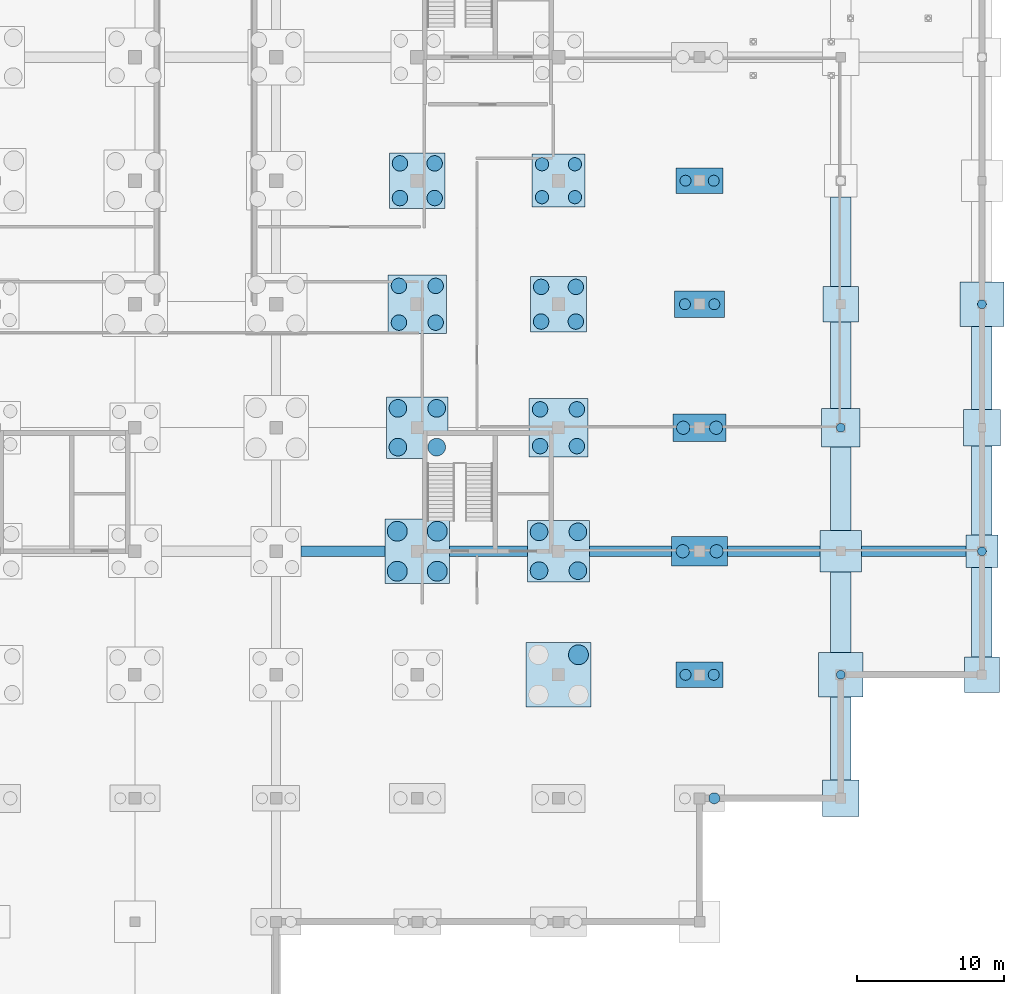
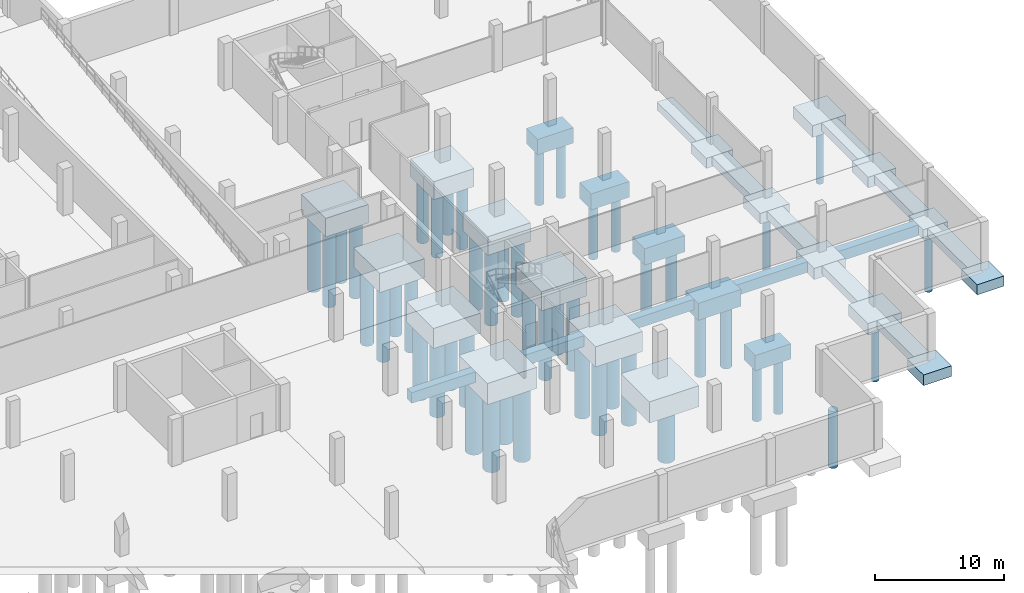
# One storey, part 9 of 26: 48 piles, 36 footings.
"""IFC4 building model written with IfcOpenShell, lengths in metres."""

import ifcopenshell
import ifcopenshell.guid

model = None  # the IFC model being written
_history = None  # IfcOwnerHistory: only IFC2X3 demands one
_inside = {}  # id of a spatial element -> (the spatial element, [elements in it])
_under = {}  # id of a project, library or spatial element -> (it, [spatial elements below it])
_declared = {}  # id of a project -> (the project, [libraries it declares])
_typed = {}  # id of a type object -> (the type object, [elements of that type])
_made_of = {}  # id of a material, layer set ... -> (it, [elements and type objects made of it])


def new_model(schema):
    """Start an empty IFC model of exactly this schema.

    Asked for "IFC4X3", IfcOpenShell would pick the latest addendum, in which some entities
    have other attributes; the version numbers below select the first issue.
    IFC2X3 requires an IfcOwnerHistory on every rooted entity: one is made here for all.
    """
    global model, _history
    if schema == "IFC4X3":
        model = ifcopenshell.file(schema_version=(4, 3, 0, 0))
    else:
        model = ifcopenshell.file(schema=schema)
    _inside.clear()
    _under.clear()
    _declared.clear()
    _typed.clear()
    _made_of.clear()
    _history = None
    if model.schema == "IFC2X3":
        org = make("IfcOrganization", Name="unknown")
        user = make(
            "IfcPersonAndOrganization",
            ThePerson=make("IfcPerson", FamilyName="unknown"),
            TheOrganization=org,
        )
        app = make(
            "IfcApplication",
            ApplicationDeveloper=org,
            Version="unknown",
            ApplicationFullName="unknown",
            ApplicationIdentifier="unknown",
        )
        _history = make(
            "IfcOwnerHistory",
            OwningUser=user,
            OwningApplication=app,
            ChangeAction="ADDED",
            CreationDate=0,
        )
    return model


def make(cls, **values):
    """One entity of the class cls with the attributes given. An attribute that is None is left unset."""
    return model.create_entity(
        cls, **{name: value for name, value in values.items() if value is not None}
    )


def rooted(cls, **values):
    """An entity with a GlobalId (a new one), such as an element, a storey or a relation."""
    return make(cls, GlobalId=ifcopenshell.guid.new(), OwnerHistory=_history, **values)


def si_unit(unit_type, name, prefix=None):
    """IfcSIUnit, for example si_unit("LENGTHUNIT", "METRE", prefix="MILLI")."""
    return make("IfcSIUnit", UnitType=unit_type, Prefix=prefix, Name=name)


def assignment(units):
    """IfcUnitAssignment: the units of a project."""
    return None if units is None else make("IfcUnitAssignment", Units=units)


def point(xyz):
    """IfcCartesianPoint."""
    return None if xyz is None else make("IfcCartesianPoint", Coordinates=xyz)


def direction(xyz):
    """IfcDirection."""
    return None if xyz is None else make("IfcDirection", DirectionRatios=xyz)


def frame(location, z_axis=None, x_axis=None):
    """IfcAxis2Placement3D, a coordinate frame: its origin and axes. An axis left out is left unset."""
    return make(
        "IfcAxis2Placement3D",
        Location=point(location),
        Axis=direction(z_axis),
        RefDirection=direction(x_axis),
    )


def frame_2d(location, x_axis=None):
    """IfcAxis2Placement2D, a coordinate frame in the plane: its origin and x axis."""
    return make(
        "IfcAxis2Placement2D", Location=point(location), RefDirection=direction(x_axis)
    )


def origin():
    """The frame at (0, 0, 0) with its axes left unset."""
    return frame((0.0, 0.0, 0.0))


def origin_2d():
    """The frame at (0, 0) in the plane with its x axis left unset."""
    return frame_2d((0.0, 0.0))


def place(relative_to, where):
    """IfcLocalPlacement: puts the frame where relative to a parent placement (None: the world)."""
    return make(
        "IfcLocalPlacement", PlacementRelTo=relative_to, RelativePlacement=where
    )


def context(
    kind, dimensions, precision=None, world=None, true_north=None, identifier=None
):
    """IfcGeometricRepresentationContext, for example the 3D "Model" context."""
    return make(
        "IfcGeometricRepresentationContext",
        ContextIdentifier=identifier,
        ContextType=kind,
        CoordinateSpaceDimension=dimensions,
        Precision=precision,
        WorldCoordinateSystem=world,
        TrueNorth=true_north,
    )


def subcontext(parent, identifier, kind, view, scale=None):
    """IfcGeometricRepresentationSubContext, for example "Body" below "Model"."""
    return make(
        "IfcGeometricRepresentationSubContext",
        ContextIdentifier=identifier,
        ContextType=kind,
        ParentContext=parent,
        TargetScale=scale,
        TargetView=view,
    )


def project(units=None, contexts=None):
    """IfcProject with its units and contexts."""
    return rooted(
        "IfcProject",
        Name="project",
        RepresentationContexts=contexts,
        UnitsInContext=assignment(units),
    )


def spatial(cls, under=None, at=None, **own):
    """A site, building, storey or space (cls), placed at a placement, below another one or the project."""
    s = rooted(cls, ObjectPlacement=at, **own)
    if under is not None:
        _under.setdefault(under.id(), (under, []))[1].append(s)
    return s


def profile(cls, at=None, kind="AREA", **sizes):
    """A parametric profile (cls). Its sizes go by their IFC names, for example OverallWidth=200.0."""
    return make(cls, ProfileType=kind, Position=at, **sizes)


def rectangle(**sizes):
    """IfcRectangleProfileDef."""
    return profile("IfcRectangleProfileDef", **sizes)


def circle(**sizes):
    """IfcCircleProfileDef."""
    return profile("IfcCircleProfileDef", **sizes)


def extrude(swept, where, along, depth):
    """IfcExtrudedAreaSolid: the profile swept, set in the frame where, extruded along a direction by depth."""
    return make(
        "IfcExtrudedAreaSolid",
        SweptArea=swept,
        Position=where,
        ExtrudedDirection=direction(along),
        Depth=depth,
    )


def shape(context_of_items, identifier, shape_type, items):
    """IfcShapeRepresentation: the items that make up one representation, for example the "Body"."""
    return make(
        "IfcShapeRepresentation",
        ContextOfItems=context_of_items,
        RepresentationIdentifier=identifier,
        RepresentationType=shape_type,
        Items=items,
    )


def material(Name=None, Category=None):
    """IfcMaterial."""
    return make("IfcMaterial", Name=Name, Category=Category)


def layer(
    of_material, thickness, ventilated=None, Name=None, Category=None, Priority=None
):
    """IfcMaterialLayer: one layer of a wall or slab, of a material (None: an air gap)."""
    return make(
        "IfcMaterialLayer",
        Material=of_material,
        LayerThickness=thickness,
        IsVentilated=ventilated,
        Name=Name,
        Category=Category,
        Priority=Priority,
    )


def layer_set(layers, Name=None):
    """IfcMaterialLayerSet."""
    return make("IfcMaterialLayerSet", MaterialLayers=layers, LayerSetName=Name)


def material_profile(
    of_material, cross_section, Name=None, Category=None, Priority=None
):
    """IfcMaterialProfile: a cross section and its material."""
    return make(
        "IfcMaterialProfile",
        Name=Name,
        Material=of_material,
        Profile=cross_section,
        Priority=Priority,
        Category=Category,
    )


def profile_set(profiles, Name=None, composite=None):
    """IfcMaterialProfileSet."""
    return make(
        "IfcMaterialProfileSet",
        Name=Name,
        MaterialProfiles=profiles,
        CompositeProfile=composite,
    )


def made_of(thing, what):
    """Note that an element or type object is made of a material, layer set ...; save() writes the relation."""
    if what is not None:
        _made_of.setdefault(what.id(), (what, []))[1].append(thing)
    return thing


def type_object(cls, material=None, **own):
    """A type object (cls), such as IfcWallType, which elements share."""
    return made_of(rooted(cls, **own), material)


def element(
    cls,
    number,
    at=None,
    inside=None,
    cuts=None,
    type_object=None,
    material=None,
    context=None,
    identifier="Body",
    shape_type=None,
    held_by="IfcProductDefinitionShape",
    body=None,
    shapes=None,
    **own,
):
    """One element of the class cls, such as IfcWall. Its Tag is "e" and its number.

    at: its placement. inside: the storey or other place that contains it. cuts: it is an
    opening in that element (IfcRelVoidsElement). A single representation is given by context,
    identifier, shape_type and body (its items); several are given by shapes. held_by: the class
    of the entity that holds the representations. save() writes the other relations.
    """
    e = rooted(cls, Tag="e%d" % number, ObjectPlacement=at, **own)
    if body is not None:
        shapes = [shape(context, identifier, shape_type, body)]
    if shapes is not None:
        e.Representation = make(held_by, Representations=shapes)
    if inside is not None:
        _inside.setdefault(inside.id(), (inside, []))[1].append(e)
    if cuts is not None:
        rooted(
            "IfcRelVoidsElement", RelatingBuildingElement=cuts, RelatedOpeningElement=e
        )
    if type_object is not None:
        _typed.setdefault(type_object.id(), (type_object, []))[1].append(e)
    return made_of(e, material)


def aggregate(whole, parts):
    """IfcRelAggregates: a whole, such as a stair, and the parts it consists of."""
    return rooted("IfcRelAggregates", RelatingObject=whole, RelatedObjects=parts)


def save(model, path):
    """Write the relations noted so far, then the file.

    IfcRelAggregates (storeys below a building ...), IfcRelContainedInSpatialStructure (elements
    in a storey), IfcRelDefinesByType, IfcRelAssociatesMaterial and IfcRelDeclares: one each for
    every whole, place, type object, material and project.
    """
    for whole, parts in _under.values():
        aggregate(whole, parts)
    for where, things in _inside.values():
        rooted(
            "IfcRelContainedInSpatialStructure",
            RelatedElements=things,
            RelatingStructure=where,
        )
    for kind, things in _typed.values():
        rooted("IfcRelDefinesByType", RelatedObjects=things, RelatingType=kind)
    for what, things in _made_of.values():
        rooted("IfcRelAssociatesMaterial", RelatedObjects=things, RelatingMaterial=what)
    for by, libraries in _declared.values():
        rooted("IfcRelDeclares", RelatingContext=by, RelatedDefinitions=libraries)
    model.write(path)


model = new_model("IFC4")

# Units and contexts
model_context = context("Model", 3, precision=1e-05, world=origin(), true_north=direction((0.0, 1.0)))
body_context = subcontext(model_context, "Body", "Model", "MODEL_VIEW")
ifc_project = project(units=[si_unit("LENGTHUNIT", "METRE"), si_unit("AREAUNIT", "SQUARE_METRE"), si_unit("VOLUMEUNIT", "CUBIC_METRE"), si_unit("PLANEANGLEUNIT", "RADIAN"), si_unit("MASSUNIT", "GRAM", prefix="KILO")], contexts=[model_context])

# Site, building, storey
site_placement = place(None, origin())
site = spatial("IfcSite", under=ifc_project, at=site_placement, CompositionType="ELEMENT")
building_placement = place(site_placement, origin())
building = spatial("IfcBuilding", under=site, at=building_placement, Name="Lornevale Opera House", CompositionType="ELEMENT")
storey_placement = place(building_placement, frame((0.0, 0.0, -9.60009765625)))
storey = spatial("IfcBuildingStorey", under=building, at=storey_placement, Name="B2", CompositionType="ELEMENT", Elevation=-9.60009765625)

# Footings
ifc_material_1 = material(Name="Concrete 35 MPa (CSA A23.1 N)", Category="concrete")
ifc_layer_1 = layer(ifc_material_1, 1.0)
ifc_layer_set_1 = layer_set([ifc_layer_1], Name="Concrete 35 MPa (CSA A23.1 N)")
footing_type_1 = type_object("IfcFootingType", Name="Canopy Mast Pad 2500x2500x1000", PredefinedType="PAD_FOOTING", material=ifc_layer_set_1)
for number, where, z_axis, x_axis, name in (
    (1, (163.199951171875, 16.800048828125, -1.4599609375), (0.0, 0.0, 1.0), (1.0, 0.0, 0.0), "Canopy Mast Pad 2500x2500x1000 FT-233"),
    (2, (172.800048828125, 42.0, -1.4599609375), (0.0, 0.0, 1.0), (1.0, 0.0, 0.0), "Canopy Mast Pad 2500x2500x1000 FT-244"),
):
    element("IfcFooting", number, at=place(storey_placement, frame(where, z_axis=z_axis, x_axis=x_axis)), inside=storey, type_object=footing_type_1, Name=name, PredefinedType="PAD_FOOTING", context=body_context, shape_type="SweptSolid", body=[
        extrude(rectangle(XDim=2.5, YDim=2.5, at=origin_2d()), origin(), (0.0, 0.0, 1.0), 1.0),
    ])
ifc_layer_2 = layer(ifc_material_1, 1.699951171875)
ifc_layer_set_2 = layer_set([ifc_layer_2], Name="Concrete 35 MPa (CSA A23.1 N)")
footing_type_2 = type_object("IfcFootingType", Name="Four-Caisson Cap 3600x3600x1700", PredefinedType="PILE_CAP", material=ifc_layer_set_2)
footing_1_placement = place(storey_placement, frame((144.0, 58.800048828125, -2.15966796875), z_axis=(0.0, 0.0, 1.0), x_axis=(1.0, 0.0, 0.0)))
element("IfcFooting", 3, at=footing_1_placement, inside=storey, type_object=footing_type_2, Name="Four-Caisson Cap 3600x3600x1700 FT-219", PredefinedType="PILE_CAP", context=body_context, shape_type="SweptSolid", body=[
    extrude(rectangle(XDim=3.60009765625, YDim=3.60009765625, at=origin_2d()), origin(), (0.0, 0.0, 1.0), 1.699951171875),
])
ifc_layer_3 = layer(ifc_material_1, 1.75)
ifc_layer_set_3 = layer_set([ifc_layer_3], Name="Concrete 35 MPa (CSA A23.1 N)")
footing_type_3 = type_object("IfcFootingType", Name="Four-Caisson Cap 3800x3800x1750", PredefinedType="PILE_CAP", material=ifc_layer_set_3)
for number, where, z_axis, x_axis, name in (
    (4, (134.39990234375, 58.800048828125, -2.2099609375), (0.0, 0.0, 1.0), (1.0, 0.0, 0.0), "Four-Caisson Cap 3800x3800x1750 FT-209"),
    (5, (144.0, 50.39990234375, -2.2099609375), (0.0, 0.0, 1.0), (1.0, 0.0, 0.0), "Four-Caisson Cap 3800x3800x1750 FT-218"),
):
    element("IfcFooting", number, at=place(storey_placement, frame(where, z_axis=z_axis, x_axis=x_axis)), inside=storey, type_object=footing_type_3, Name=name, PredefinedType="PILE_CAP", context=body_context, shape_type="SweptSolid", body=[
        extrude(rectangle(XDim=3.800048828125, YDim=3.800048828125, at=origin_2d()), origin(), (0.0, 0.0, 1.0), 1.75),
    ])
ifc_layer_4 = layer(ifc_material_1, 1.800048828125)
ifc_layer_set_4 = layer_set([ifc_layer_4], Name="Concrete 35 MPa (CSA A23.1 N)")
footing_type_4 = type_object("IfcFootingType", Name="Four-Caisson Cap 4000x4000x1800", PredefinedType="PILE_CAP", material=ifc_layer_set_4)
for number, where, z_axis, x_axis, name in (
    (6, (134.39990234375, 50.39990234375, -2.259765625), (0.0, 0.0, 1.0), (1.0, 0.0, 0.0), "Four-Caisson Cap 4000x4000x1800 FT-208"),
    (7, (144.0, 42.0, -2.259765625), (0.0, 0.0, 1.0), (1.0, 0.0, 0.0), "Four-Caisson Cap 4000x4000x1800 FT-217"),
):
    element("IfcFooting", number, at=place(storey_placement, frame(where, z_axis=z_axis, x_axis=x_axis)), inside=storey, type_object=footing_type_4, Name=name, PredefinedType="PILE_CAP", context=body_context, shape_type="SweptSolid", body=[
        extrude(rectangle(XDim=4.0, YDim=4.0, at=origin_2d()), origin(), (0.0, 0.0, 1.0), 1.800048828125),
    ])
ifc_layer_5 = layer(ifc_material_1, 1.89990234375)
ifc_layer_set_5 = layer_set([ifc_layer_5], Name="Concrete 35 MPa (CSA A23.1 N)")
footing_type_5 = type_object("IfcFootingType", Name="Four-Caisson Cap 4200x4200x1900", PredefinedType="PILE_CAP", material=ifc_layer_set_5)
for number, where, z_axis, x_axis, name in (
    (8, (134.39990234375, 42.0, -2.35986328125), (0.0, 0.0, 1.0), (1.0, 0.0, 0.0), "Four-Caisson Cap 4200x4200x1900 FT-207"),
    (9, (144.0, 33.60009765625, -2.35986328125), (0.0, 0.0, 1.0), (1.0, 0.0, 0.0), "Four-Caisson Cap 4200x4200x1900 FT-216"),
):
    element("IfcFooting", number, at=place(storey_placement, frame(where, z_axis=z_axis, x_axis=x_axis)), inside=storey, type_object=footing_type_5, Name=name, PredefinedType="PILE_CAP", context=body_context, shape_type="SweptSolid", body=[
        extrude(rectangle(XDim=4.199951171875, YDim=4.199951171875, at=origin_2d()), origin(), (0.0, 0.0, 1.0), 1.89990234375),
    ])
ifc_layer_6 = layer(ifc_material_1, 2.0)
ifc_layer_set_6 = layer_set([ifc_layer_6], Name="Concrete 35 MPa (CSA A23.1 N)")
footing_type_6 = type_object("IfcFootingType", Name="Four-Caisson Cap 4400x4400x2000", PredefinedType="PILE_CAP", material=ifc_layer_set_6)
for number, where, z_axis, x_axis, name in (
    (10, (134.39990234375, 33.60009765625, -2.4599609375), (0.0, 0.0, 1.0), (1.0, 0.0, 0.0), "Four-Caisson Cap 4400x4400x2000 FT-206"),
    (11, (144.0, 25.199951171875, -2.4599609375), (0.0, 0.0, 1.0), (1.0, 0.0, 0.0), "Four-Caisson Cap 4400x4400x2000 FT-215"),
):
    element("IfcFooting", number, at=place(storey_placement, frame(where, z_axis=z_axis, x_axis=x_axis)), inside=storey, type_object=footing_type_6, Name=name, PredefinedType="PILE_CAP", context=body_context, shape_type="SweptSolid", body=[
        extrude(rectangle(XDim=4.39990234375, YDim=4.39990234375, at=origin_2d()), origin(), (0.0, 0.0, 1.0), 2.0),
    ])
ifc_layer_7 = layer(ifc_material_1, 1.0)
ifc_layer_set_7 = layer_set([ifc_layer_7], Name="Concrete 35 MPa (CSA A23.1 N)")
footing_type_7 = type_object("IfcFootingType", Name="Grade Tie Beam EW 700x1000", PredefinedType="FOOTING_BEAM", material=ifc_layer_set_7)
footing_2_placement = place(storey_placement, frame((129.35009765625, 33.60009765625, -1.4599609375), z_axis=(0.0, 0.0, 1.0), x_axis=(1.0, 0.0, 0.0)))
element("IfcFooting", 12, at=footing_2_placement, inside=storey, type_object=footing_type_7, Name="Grade Tie Beam EW 700x1000 FT-310", PredefinedType="FOOTING_BEAM", context=body_context, shape_type="SweptSolid", body=[
    extrude(rectangle(XDim=5.699951171875, YDim=0.699951171875, at=origin_2d()), origin(), (0.0, 0.0, 1.0), 1.0),
])
footing_3_placement = place(storey_placement, frame((139.25, 33.60009765625, -1.4599609375), z_axis=(0.0, 0.0, 1.0), x_axis=(1.0, 0.0, 0.0)))
element("IfcFooting", 13, at=footing_3_placement, inside=storey, type_object=footing_type_7, Name="Grade Tie Beam EW 700x1000 FT-313", PredefinedType="FOOTING_BEAM", context=body_context, shape_type="SweptSolid", body=[
    extrude(rectangle(XDim=5.300048828125, YDim=0.699951171875, at=origin_2d()), origin(), (0.0, 0.0, 1.0), 1.0),
])
footing_4_placement = place(storey_placement, frame((148.89990234375, 33.60009765625, -1.4599609375), z_axis=(0.0, 0.0, 1.0), x_axis=(1.0, 0.0, 0.0)))
element("IfcFooting", 14, at=footing_4_placement, inside=storey, type_object=footing_type_7, Name="Grade Tie Beam EW 700x1000 FT-316", PredefinedType="FOOTING_BEAM", context=body_context, shape_type="SweptSolid", body=[
    extrude(rectangle(XDim=5.60009765625, YDim=0.699951171875, at=origin_2d()), origin(), (0.0, 0.0, 1.0), 1.0),
])
footing_5_placement = place(storey_placement, frame((158.64990234375, 33.60009765625, -1.4599609375), z_axis=(0.0, 0.0, 1.0), x_axis=(1.0, 0.0, 0.0)))
element("IfcFooting", 15, at=footing_5_placement, inside=storey, type_object=footing_type_7, Name="Grade Tie Beam EW 700x1000 FT-319", PredefinedType="FOOTING_BEAM", context=body_context, shape_type="SweptSolid", body=[
    extrude(rectangle(XDim=6.300048828125, YDim=0.699951171875, at=origin_2d()), origin(), (0.0, 0.0, 1.0), 1.0),
])
footing_6_placement = place(storey_placement, frame((168.14990234375, 33.60009765625, -1.4599609375), z_axis=(0.0, 0.0, 1.0), x_axis=(1.0, 0.0, 0.0)))
element("IfcFooting", 16, at=footing_6_placement, inside=storey, type_object=footing_type_7, Name="Grade Tie Beam EW 700x1000 FT-322", PredefinedType="FOOTING_BEAM", context=body_context, shape_type="SweptSolid", body=[
    extrude(rectangle(XDim=7.10009765625, YDim=0.699951171875, at=origin_2d()), origin(), (0.0, 0.0, 1.0), 1.0),
])

# Piles
ifc_material_2 = material(Name="Concrete 40 MPa (CSA A23.1 C-1)", Category="concrete")
ifc_material_profile_1 = material_profile(ifc_material_2, circle(Radius=0.300048828125, at=origin_2d()), Name="CAIS600")
ifc_profile_set_1 = profile_set([ifc_material_profile_1], Name="Concrete 40 MPa (CSA A23.1 C-1)")
pile_type_1 = type_object("IfcPileType", Name="Micropile Caisson D600", PredefinedType="BORED", material=ifc_profile_set_1)
pile_1_placement = place(storey_placement, frame((163.199951171875, 25.199951171875, -1.43994140625), z_axis=(0.0, 0.0, -1.0), x_axis=(1.0, 0.0, 0.0)))
element("IfcPile", 17, at=pile_1_placement, inside=storey, type_object=pile_type_1, Name="Micropile Caisson D600 0530", PredefinedType="BORED", context=body_context, shape_type="SweptSolid", body=[
    extrude(circle(Radius=0.300048828125, at=origin_2d()), origin(), (0.0, 0.0, 1.0), 5.760009765625),
])
pile_2_placement = place(storey_placement, frame((163.199951171875, 42.0, -1.33984375), z_axis=(0.0, 0.0, -1.0), x_axis=(1.0, 0.0, 0.0)))
element("IfcPile", 18, at=pile_2_placement, inside=storey, type_object=pile_type_1, Name="Micropile Caisson D600 0531", PredefinedType="BORED", context=body_context, shape_type="SweptSolid", body=[
    extrude(circle(Radius=0.300048828125, at=origin_2d()), origin(), (0.0, 0.0, 1.0), 5.860107421875),
])
pile_3_placement = place(storey_placement, frame((172.800048828125, 33.60009765625, -1.239990234375), z_axis=(0.0, 0.0, -1.0), x_axis=(1.0, 0.0, 0.0)))
element("IfcPile", 19, at=pile_3_placement, inside=storey, type_object=pile_type_1, Name="Micropile Caisson D600 0534", PredefinedType="BORED", context=body_context, shape_type="SweptSolid", body=[
    extrude(circle(Radius=0.300048828125, at=origin_2d()), origin(), (0.0, 0.0, 1.0), 5.9599609375),
])
pile_4_placement = place(storey_placement, frame((172.800048828125, 50.39990234375, -1.43994140625), z_axis=(0.0, 0.0, -1.0), x_axis=(1.0, 0.0, 0.0)))
element("IfcPile", 20, at=pile_4_placement, inside=storey, type_object=pile_type_1, Name="Micropile Caisson D600 0535", PredefinedType="BORED", context=body_context, shape_type="SweptSolid", body=[
    extrude(circle(Radius=0.300048828125, at=origin_2d()), origin(), (0.0, 0.0, 1.0), 5.760009765625),
])

# Footings
ifc_layer_8 = layer(ifc_material_1, 0.75)
ifc_layer_set_8 = layer_set([ifc_layer_8], Name="Concrete 35 MPa (CSA A23.1 N)")
footing_type_8 = type_object("IfcFootingType", Name="Perimeter Strip Footing NS 1400x750", PredefinedType="STRIP_FOOTING", material=ifc_layer_set_8)
footing_7_placement = place(storey_placement, frame((163.199951171875, 20.875, -1.2099609375), z_axis=(0.0, 0.0, 1.0), x_axis=(1.0, 0.0, 0.0)))
element("IfcFooting", 21, at=footing_7_placement, inside=storey, type_object=footing_type_8, Name="Perimeter Strip Footing NS 1400x750 FT-392", PredefinedType="STRIP_FOOTING", context=body_context, shape_type="SweptSolid", body=[
    extrude(rectangle(XDim=1.39990234375, YDim=5.64990234375, at=origin_2d()), origin(), (0.0, 0.0, 1.0), 0.75),
])
footing_8_placement = place(storey_placement, frame((163.199951171875, 29.449951171875, -1.2099609375), z_axis=(0.0, 0.0, 1.0), x_axis=(1.0, 0.0, 0.0)))
element("IfcFooting", 22, at=footing_8_placement, inside=storey, type_object=footing_type_8, Name="Perimeter Strip Footing NS 1400x750 FT-393", PredefinedType="STRIP_FOOTING", context=body_context, shape_type="SweptSolid", body=[
    extrude(rectangle(XDim=1.39990234375, YDim=5.5, at=origin_2d()), origin(), (0.0, 0.0, 1.0), 0.75),
])
footing_9_placement = place(storey_placement, frame((163.199951171875, 37.85009765625, -1.2099609375), z_axis=(0.0, 0.0, 1.0), x_axis=(1.0, 0.0, 0.0)))
element("IfcFooting", 23, at=footing_9_placement, inside=storey, type_object=footing_type_8, Name="Perimeter Strip Footing NS 1400x750 FT-394", PredefinedType="STRIP_FOOTING", context=body_context, shape_type="SweptSolid", body=[
    extrude(rectangle(XDim=1.39990234375, YDim=5.699951171875, at=origin_2d()), origin(), (0.0, 0.0, 1.0), 0.75),
])
footing_10_placement = place(storey_placement, frame((163.199951171875, 46.25, -1.2099609375), z_axis=(0.0, 0.0, 1.0), x_axis=(1.0, 0.0, 0.0)))
element("IfcFooting", 24, at=footing_10_placement, inside=storey, type_object=footing_type_8, Name="Perimeter Strip Footing NS 1400x750 FT-395", PredefinedType="STRIP_FOOTING", context=body_context, shape_type="SweptSolid", body=[
    extrude(rectangle(XDim=1.39990234375, YDim=5.89990234375, at=origin_2d()), origin(), (0.0, 0.0, 1.0), 0.75),
])
for number, where, z_axis, x_axis, name in (
    (25, (163.199951171875, 54.64990234375, -1.2099609375), (0.0, 0.0, 1.0), (1.0, 0.0, 0.0), "Perimeter Strip Footing NS 1400x750 FT-396"),
    (26, (172.800048828125, 29.449951171875, -1.2099609375), (0.0, 0.0, 1.0), (1.0, 0.0, 0.0), "Perimeter Strip Footing NS 1400x750 FT-400"),
):
    element("IfcFooting", number, at=place(storey_placement, frame(where, z_axis=z_axis, x_axis=x_axis)), inside=storey, type_object=footing_type_8, Name=name, PredefinedType="STRIP_FOOTING", context=body_context, shape_type="SweptSolid", body=[
        extrude(rectangle(XDim=1.39990234375, YDim=6.10009765625, at=origin_2d()), origin(), (0.0, 0.0, 1.0), 0.75),
    ])
footing_11_placement = place(storey_placement, frame((172.800048828125, 37.72509765625, -1.2099609375), z_axis=(0.0, 0.0, 1.0), x_axis=(1.0, 0.0, 0.0)))
element("IfcFooting", 27, at=footing_11_placement, inside=storey, type_object=footing_type_8, Name="Perimeter Strip Footing NS 1400x750 FT-401", PredefinedType="STRIP_FOOTING", context=body_context, shape_type="SweptSolid", body=[
    extrude(rectangle(XDim=1.39990234375, YDim=6.050048828125, at=origin_2d()), origin(), (0.0, 0.0, 1.0), 0.75),
])
footing_12_placement = place(storey_placement, frame((172.800048828125, 46.074951171875, -1.2099609375), z_axis=(0.0, 0.0, 1.0), x_axis=(1.0, 0.0, 0.0)))
element("IfcFooting", 28, at=footing_12_placement, inside=storey, type_object=footing_type_8, Name="Perimeter Strip Footing NS 1400x750 FT-402", PredefinedType="STRIP_FOOTING", context=body_context, shape_type="SweptSolid", body=[
    extrude(rectangle(XDim=1.39990234375, YDim=5.64990234375, at=origin_2d()), origin(), (0.0, 0.0, 1.0), 0.75),
])

# Piles
ifc_material_profile_2 = material_profile(ifc_material_2, circle(Radius=0.52490234375, at=origin_2d()), Name="CAIS1050")
ifc_profile_set_2 = profile_set([ifc_material_profile_2], Name="Concrete 40 MPa (CSA A23.1 C-1)")
pile_type_2 = type_object("IfcPileType", Name="Rock-Socketed Caisson D1050", PredefinedType="BORED", material=ifc_profile_set_2)
for number, where, z_axis, x_axis, name in (
    (29, (133.14990234375, 49.14990234375, -2.139892578125), (0.0, 0.0, -1.0), (1.0, 0.0, 0.0), "Rock-Socketed Caisson D1050 0461"),
    (30, (135.64990234375, 49.14990234375, -2.139892578125), (0.0, 0.0, -1.0), (1.0, 0.0, 0.0), "Rock-Socketed Caisson D1050 0462"),
    (31, (133.14990234375, 51.64990234375, -2.139892578125), (0.0, 0.0, -1.0), (1.0, 0.0, 0.0), "Rock-Socketed Caisson D1050 0463"),
    (32, (135.64990234375, 51.64990234375, -2.139892578125), (0.0, 0.0, -1.0), (1.0, 0.0, 0.0), "Rock-Socketed Caisson D1050 0464"),
):
    element("IfcPile", number, at=place(storey_placement, frame(where, z_axis=z_axis, x_axis=x_axis)), inside=storey, type_object=pile_type_2, Name=name, PredefinedType="BORED", context=body_context, shape_type="SweptSolid", body=[
        extrude(circle(Radius=0.52490234375, at=origin_2d()), origin(), (0.0, 0.0, 1.0), 7.06005859375),
    ])
for number, where, z_axis, x_axis, name in (
    (33, (133.219970703125, 57.6201171875, -2.08984375), (0.0, 0.0, -1.0), (1.0, 0.0, 0.0), "Rock-Socketed Caisson D1050 0465"),
    (34, (135.580078125, 57.6201171875, -2.08984375), (0.0, 0.0, -1.0), (1.0, 0.0, 0.0), "Rock-Socketed Caisson D1050 0466"),
    (35, (133.219970703125, 59.97998046875, -2.08984375), (0.0, 0.0, -1.0), (1.0, 0.0, 0.0), "Rock-Socketed Caisson D1050 0467"),
    (36, (135.580078125, 59.97998046875, -2.08984375), (0.0, 0.0, -1.0), (1.0, 0.0, 0.0), "Rock-Socketed Caisson D1050 0468"),
):
    element("IfcPile", number, at=place(storey_placement, frame(where, z_axis=z_axis, x_axis=x_axis)), inside=storey, type_object=pile_type_2, Name=name, PredefinedType="BORED", context=body_context, shape_type="SweptSolid", body=[
        extrude(circle(Radius=0.52490234375, at=origin_2d()), origin(), (0.0, 0.0, 1.0), 7.110107421875),
    ])
for number, where, z_axis, x_axis, name in (
    (37, (142.75, 40.75, -2.139892578125), (0.0, 0.0, -1.0), (1.0, 0.0, 0.0), "Rock-Socketed Caisson D1050 0491"),
    (38, (145.25, 40.75, -2.139892578125), (0.0, 0.0, -1.0), (1.0, 0.0, 0.0), "Rock-Socketed Caisson D1050 0492"),
    (39, (142.75, 43.25, -2.139892578125), (0.0, 0.0, -1.0), (1.0, 0.0, 0.0), "Rock-Socketed Caisson D1050 0493"),
    (40, (145.25, 43.25, -2.139892578125), (0.0, 0.0, -1.0), (1.0, 0.0, 0.0), "Rock-Socketed Caisson D1050 0494"),
):
    element("IfcPile", number, at=place(storey_placement, frame(where, z_axis=z_axis, x_axis=x_axis)), inside=storey, type_object=pile_type_2, Name=name, PredefinedType="BORED", context=body_context, shape_type="SweptSolid", body=[
        extrude(circle(Radius=0.52490234375, at=origin_2d()), origin(), (0.0, 0.0, 1.0), 7.06005859375),
    ])
for number, where, z_axis, x_axis, name in (
    (41, (142.820068359375, 49.219970703125, -2.08984375), (0.0, 0.0, -1.0), (1.0, 0.0, 0.0), "Rock-Socketed Caisson D1050 0495"),
    (42, (145.179931640625, 49.219970703125, -2.08984375), (0.0, 0.0, -1.0), (1.0, 0.0, 0.0), "Rock-Socketed Caisson D1050 0496"),
    (43, (142.820068359375, 51.580078125, -2.08984375), (0.0, 0.0, -1.0), (1.0, 0.0, 0.0), "Rock-Socketed Caisson D1050 0497"),
    (44, (145.179931640625, 51.580078125, -2.08984375), (0.0, 0.0, -1.0), (1.0, 0.0, 0.0), "Rock-Socketed Caisson D1050 0498"),
):
    element("IfcPile", number, at=place(storey_placement, frame(where, z_axis=z_axis, x_axis=x_axis)), inside=storey, type_object=pile_type_2, Name=name, PredefinedType="BORED", context=body_context, shape_type="SweptSolid", body=[
        extrude(circle(Radius=0.52490234375, at=origin_2d()), origin(), (0.0, 0.0, 1.0), 7.110107421875),
    ])
ifc_material_profile_3 = material_profile(ifc_material_2, circle(Radius=0.60009765625, at=origin_2d()), Name="CAIS1200")
ifc_profile_set_3 = profile_set([ifc_material_profile_3], Name="Concrete 40 MPa (CSA A23.1 C-1)")
pile_type_3 = type_object("IfcPileType", Name="Rock-Socketed Caisson D1200", PredefinedType="BORED", material=ifc_profile_set_3)
for number, where, z_axis, x_axis, name in (
    (45, (133.080078125, 40.679931640625, -2.239990234375), (0.0, 0.0, -1.0), (1.0, 0.0, 0.0), "Rock-Socketed Caisson D1200 0457"),
    (46, (135.719970703125, 40.679931640625, -2.239990234375), (0.0, 0.0, -1.0), (1.0, 0.0, 0.0), "Rock-Socketed Caisson D1200 0458"),
    (47, (133.080078125, 43.320068359375, -2.239990234375), (0.0, 0.0, -1.0), (1.0, 0.0, 0.0), "Rock-Socketed Caisson D1200 0459"),
    (48, (135.719970703125, 43.320068359375, -2.239990234375), (0.0, 0.0, -1.0), (1.0, 0.0, 0.0), "Rock-Socketed Caisson D1200 0460"),
    (49, (142.679931640625, 32.280029296875, -2.239990234375), (0.0, 0.0, -1.0), (1.0, 0.0, 0.0), "Rock-Socketed Caisson D1200 0487"),
    (50, (145.320068359375, 32.280029296875, -2.239990234375), (0.0, 0.0, -1.0), (1.0, 0.0, 0.0), "Rock-Socketed Caisson D1200 0488"),
    (51, (142.679931640625, 34.919921875, -2.239990234375), (0.0, 0.0, -1.0), (1.0, 0.0, 0.0), "Rock-Socketed Caisson D1200 0489"),
    (52, (145.320068359375, 34.919921875, -2.239990234375), (0.0, 0.0, -1.0), (1.0, 0.0, 0.0), "Rock-Socketed Caisson D1200 0490"),
):
    element("IfcPile", number, at=place(storey_placement, frame(where, z_axis=z_axis, x_axis=x_axis)), inside=storey, type_object=pile_type_3, Name=name, PredefinedType="BORED", context=body_context, shape_type="SweptSolid", body=[
        extrude(circle(Radius=0.60009765625, at=origin_2d()), origin(), (0.0, 0.0, 1.0), 6.9599609375),
    ])
ifc_material_profile_4 = material_profile(ifc_material_2, circle(Radius=0.675048828125, at=origin_2d()), Name="CAIS1350")
ifc_profile_set_4 = profile_set([ifc_material_profile_4], Name="Concrete 40 MPa (CSA A23.1 C-1)")
pile_type_4 = type_object("IfcPileType", Name="Rock-Socketed Caisson D1350", PredefinedType="BORED", material=ifc_profile_set_4)
for number, where, z_axis, x_axis, name in (
    (53, (133.0400390625, 32.239990234375, -2.33984375), (0.0, 0.0, -1.0), (1.0, 0.0, 0.0), "Rock-Socketed Caisson D1350 0453"),
    (54, (135.760009765625, 32.239990234375, -2.33984375), (0.0, 0.0, -1.0), (1.0, 0.0, 0.0), "Rock-Socketed Caisson D1350 0454"),
    (55, (133.0400390625, 34.9599609375, -2.33984375), (0.0, 0.0, -1.0), (1.0, 0.0, 0.0), "Rock-Socketed Caisson D1350 0455"),
    (56, (135.760009765625, 34.9599609375, -2.33984375), (0.0, 0.0, -1.0), (1.0, 0.0, 0.0), "Rock-Socketed Caisson D1350 0456"),
    (57, (145.360107421875, 26.56005859375, -2.33984375), (0.0, 0.0, -1.0), (1.0, 0.0, 0.0), "Rock-Socketed Caisson D1350 0486"),
):
    element("IfcPile", number, at=place(storey_placement, frame(where, z_axis=z_axis, x_axis=x_axis)), inside=storey, type_object=pile_type_4, Name=name, PredefinedType="BORED", context=body_context, shape_type="SweptSolid", body=[
        extrude(circle(Radius=0.675048828125, at=origin_2d()), origin(), (0.0, 0.0, 1.0), 6.860107421875),
    ])
ifc_material_profile_5 = material_profile(ifc_material_2, circle(Radius=0.375, at=origin_2d()), Name="CAIS750")
ifc_profile_set_5 = profile_set([ifc_material_profile_5], Name="Concrete 40 MPa (CSA A23.1 C-1)")
pile_type_5 = type_object("IfcPileType", Name="Rock-Socketed Caisson D750", PredefinedType="BORED", material=ifc_profile_set_5)
pile_5_placement = place(storey_placement, frame((154.60009765625, 16.800048828125, -1.83984375), z_axis=(0.0, 0.0, -1.0), x_axis=(1.0, 0.0, 0.0)))
element("IfcPile", 58, at=pile_5_placement, inside=storey, type_object=pile_type_5, Name="Rock-Socketed Caisson D750 0514", PredefinedType="BORED", context=body_context, shape_type="SweptSolid", body=[
    extrude(circle(Radius=0.375, at=origin_2d()), origin(), (0.0, 0.0, 1.0), 5.360107421875),
])
for number, where, z_axis, x_axis, name in (
    (59, (152.639892578125, 25.199951171875, -1.789794921875), (0.0, 0.0, -1.0), (1.0, 0.0, 0.0), "Rock-Socketed Caisson D750 0515"),
    (60, (154.56005859375, 25.199951171875, -1.789794921875), (0.0, 0.0, -1.0), (1.0, 0.0, 0.0), "Rock-Socketed Caisson D750 0516"),
):
    element("IfcPile", number, at=place(storey_placement, frame(where, z_axis=z_axis, x_axis=x_axis)), inside=storey, type_object=pile_type_5, Name=name, PredefinedType="BORED", context=body_context, shape_type="SweptSolid", body=[
        extrude(circle(Radius=0.375, at=origin_2d()), origin(), (0.0, 0.0, 1.0), 5.409912109375),
    ])
for number, where, z_axis, x_axis, name in (
    (61, (152.60009765625, 50.39990234375, -1.83984375), (0.0, 0.0, -1.0), (1.0, 0.0, 0.0), "Rock-Socketed Caisson D750 0521"),
    (62, (154.60009765625, 50.39990234375, -1.83984375), (0.0, 0.0, -1.0), (1.0, 0.0, 0.0), "Rock-Socketed Caisson D750 0522"),
):
    element("IfcPile", number, at=place(storey_placement, frame(where, z_axis=z_axis, x_axis=x_axis)), inside=storey, type_object=pile_type_5, Name=name, PredefinedType="BORED", context=body_context, shape_type="SweptSolid", body=[
        extrude(circle(Radius=0.375, at=origin_2d()), origin(), (0.0, 0.0, 1.0), 5.360107421875),
    ])
for number, where, z_axis, x_axis, name in (
    (63, (152.639892578125, 58.800048828125, -1.789794921875), (0.0, 0.0, -1.0), (1.0, 0.0, 0.0), "Rock-Socketed Caisson D750 0523"),
    (64, (154.56005859375, 58.800048828125, -1.789794921875), (0.0, 0.0, -1.0), (1.0, 0.0, 0.0), "Rock-Socketed Caisson D750 0524"),
):
    element("IfcPile", number, at=place(storey_placement, frame(where, z_axis=z_axis, x_axis=x_axis)), inside=storey, type_object=pile_type_5, Name=name, PredefinedType="BORED", context=body_context, shape_type="SweptSolid", body=[
        extrude(circle(Radius=0.375, at=origin_2d()), origin(), (0.0, 0.0, 1.0), 5.409912109375),
    ])
ifc_material_profile_6 = material_profile(ifc_material_2, circle(Radius=0.449951171875, at=origin_2d()), Name="CAIS900")
ifc_profile_set_6 = profile_set([ifc_material_profile_6], Name="Concrete 40 MPa (CSA A23.1 C-1)")
pile_type_6 = type_object("IfcPileType", Name="Rock-Socketed Caisson D900", PredefinedType="BORED", material=ifc_profile_set_6)
for number, where, z_axis, x_axis, name in (
    (65, (142.8798828125, 57.679931640625, -2.039794921875), (0.0, 0.0, -1.0), (1.0, 0.0, 0.0), "Rock-Socketed Caisson D900 0499"),
    (66, (145.1201171875, 57.679931640625, -2.039794921875), (0.0, 0.0, -1.0), (1.0, 0.0, 0.0), "Rock-Socketed Caisson D900 0500"),
    (67, (142.8798828125, 59.919921875, -2.039794921875), (0.0, 0.0, -1.0), (1.0, 0.0, 0.0), "Rock-Socketed Caisson D900 0501"),
    (68, (145.1201171875, 59.919921875, -2.039794921875), (0.0, 0.0, -1.0), (1.0, 0.0, 0.0), "Rock-Socketed Caisson D900 0502"),
):
    element("IfcPile", number, at=place(storey_placement, frame(where, z_axis=z_axis, x_axis=x_axis)), inside=storey, type_object=pile_type_6, Name=name, PredefinedType="BORED", context=body_context, shape_type="SweptSolid", body=[
        extrude(circle(Radius=0.449951171875, at=origin_2d()), origin(), (0.0, 0.0, 1.0), 5.9599609375),
    ])
for number, where, z_axis, x_axis, name in (
    (69, (152.449951171875, 33.60009765625, -1.93994140625), (0.0, 0.0, -1.0), (1.0, 0.0, 0.0), "Rock-Socketed Caisson D900 0517"),
    (70, (154.75, 33.60009765625, -1.93994140625), (0.0, 0.0, -1.0), (1.0, 0.0, 0.0), "Rock-Socketed Caisson D900 0518"),
):
    element("IfcPile", number, at=place(storey_placement, frame(where, z_axis=z_axis, x_axis=x_axis)), inside=storey, type_object=pile_type_6, Name=name, PredefinedType="BORED", context=body_context, shape_type="SweptSolid", body=[
        extrude(circle(Radius=0.449951171875, at=origin_2d()), origin(), (0.0, 0.0, 1.0), 6.06005859375),
    ])
for number, where, z_axis, x_axis, name in (
    (71, (152.47998046875, 42.0, -1.889892578125), (0.0, 0.0, -1.0), (1.0, 0.0, 0.0), "Rock-Socketed Caisson D900 0519"),
    (72, (154.719970703125, 42.0, -1.889892578125), (0.0, 0.0, -1.0), (1.0, 0.0, 0.0), "Rock-Socketed Caisson D900 0520"),
):
    element("IfcPile", number, at=place(storey_placement, frame(where, z_axis=z_axis, x_axis=x_axis)), inside=storey, type_object=pile_type_6, Name=name, PredefinedType="BORED", context=body_context, shape_type="SweptSolid", body=[
        extrude(circle(Radius=0.449951171875, at=origin_2d()), origin(), (0.0, 0.0, 1.0), 6.110107421875),
    ])

# Footings
ifc_layer_9 = layer(ifc_material_1, 0.89990234375)
ifc_layer_set_9 = layer_set([ifc_layer_9], Name="Concrete 35 MPa (CSA A23.1 N)")
footing_type_9 = type_object("IfcFootingType", Name="Spread Pad Footing 2200x2200x900", PredefinedType="PAD_FOOTING", material=ifc_layer_set_9)
footing_13_placement = place(storey_placement, frame((172.800048828125, 33.60009765625, -1.35986328125), z_axis=(0.0, 0.0, 1.0), x_axis=(1.0, 0.0, 0.0)))
element("IfcFooting", 73, at=footing_13_placement, inside=storey, type_object=footing_type_9, Name="Spread Pad Footing 2200x2200x900 FT-243", PredefinedType="PAD_FOOTING", context=body_context, shape_type="SweptSolid", body=[
    extrude(rectangle(XDim=2.199951171875, YDim=2.199951171875, at=origin_2d()), origin(), (0.0, 0.0, 1.0), 0.89990234375),
])
ifc_layer_10 = layer(ifc_material_1, 0.949951171875)
ifc_layer_set_10 = layer_set([ifc_layer_10], Name="Concrete 35 MPa (CSA A23.1 N)")
footing_type_10 = type_object("IfcFootingType", Name="Spread Pad Footing 2400x2400x950", PredefinedType="PAD_FOOTING", material=ifc_layer_set_10)
for number, where, z_axis, x_axis, name in (
    (74, (163.199951171875, 50.39990234375, -1.40966796875), (0.0, 0.0, 1.0), (1.0, 0.0, 0.0), "Spread Pad Footing 2400x2400x950 FT-237"),
    (75, (172.800048828125, 25.199951171875, -1.40966796875), (0.0, 0.0, 1.0), (1.0, 0.0, 0.0), "Spread Pad Footing 2400x2400x950 FT-242"),
):
    element("IfcFooting", number, at=place(storey_placement, frame(where, z_axis=z_axis, x_axis=x_axis)), inside=storey, type_object=footing_type_10, Name=name, PredefinedType="PAD_FOOTING", context=body_context, shape_type="SweptSolid", body=[
        extrude(rectangle(XDim=2.39990234375, YDim=2.39990234375, at=origin_2d()), origin(), (0.0, 0.0, 1.0), 0.949951171875),
    ])
ifc_layer_11 = layer(ifc_material_1, 1.0)
ifc_layer_set_11 = layer_set([ifc_layer_11], Name="Concrete 35 MPa (CSA A23.1 N)")
footing_type_11 = type_object("IfcFootingType", Name="Spread Pad Footing 2600x2600x1000", PredefinedType="PAD_FOOTING", material=ifc_layer_set_11)
footing_14_placement = place(storey_placement, frame((163.199951171875, 42.0, -1.4599609375), z_axis=(0.0, 0.0, 1.0), x_axis=(1.0, 0.0, 0.0)))
element("IfcFooting", 76, at=footing_14_placement, inside=storey, type_object=footing_type_11, Name="Spread Pad Footing 2600x2600x1000 FT-236", PredefinedType="PAD_FOOTING", context=body_context, shape_type="SweptSolid", body=[
    extrude(rectangle(XDim=2.60009765625, YDim=2.60009765625, at=origin_2d()), origin(), (0.0, 0.0, 1.0), 1.0),
])
ifc_layer_12 = layer(ifc_material_1, 1.050048828125)
ifc_layer_set_12 = layer_set([ifc_layer_12], Name="Concrete 35 MPa (CSA A23.1 N)")
footing_type_12 = type_object("IfcFootingType", Name="Spread Pad Footing 2800x2800x1050", PredefinedType="PAD_FOOTING", material=ifc_layer_set_12)
footing_15_placement = place(storey_placement, frame((163.199951171875, 33.60009765625, -1.509765625), z_axis=(0.0, 0.0, 1.0), x_axis=(1.0, 0.0, 0.0)))
element("IfcFooting", 77, at=footing_15_placement, inside=storey, type_object=footing_type_12, Name="Spread Pad Footing 2800x2800x1050 FT-235", PredefinedType="PAD_FOOTING", context=body_context, shape_type="SweptSolid", body=[
    extrude(rectangle(XDim=2.800048828125, YDim=2.800048828125, at=origin_2d()), origin(), (0.0, 0.0, 1.0), 1.050048828125),
])
ifc_layer_13 = layer(ifc_material_1, 1.10009765625)
ifc_layer_set_13 = layer_set([ifc_layer_13], Name="Concrete 35 MPa (CSA A23.1 N)")
footing_type_13 = type_object("IfcFootingType", Name="Spread Pad Footing 3000x3000x1100", PredefinedType="PAD_FOOTING", material=ifc_layer_set_13)
for number, where, z_axis, x_axis, name in (
    (78, (163.199951171875, 25.199951171875, -1.56005859375), (0.0, 0.0, 1.0), (1.0, 0.0, 0.0), "Spread Pad Footing 3000x3000x1100 FT-234"),
    (79, (172.800048828125, 50.39990234375, -1.56005859375), (0.0, 0.0, 1.0), (1.0, 0.0, 0.0), "Spread Pad Footing 3000x3000x1100 FT-245"),
):
    element("IfcFooting", number, at=place(storey_placement, frame(where, z_axis=z_axis, x_axis=x_axis)), inside=storey, type_object=footing_type_13, Name=name, PredefinedType="PAD_FOOTING", context=body_context, shape_type="SweptSolid", body=[
        extrude(rectangle(XDim=3.0, YDim=3.0, at=origin_2d()), origin(), (0.0, 0.0, 1.0), 1.10009765625),
    ])
ifc_layer_14 = layer(ifc_material_1, 1.449951171875)
ifc_layer_set_14 = layer_set([ifc_layer_14], Name="Concrete 35 MPa (CSA A23.1 N)")
footing_type_14 = type_object("IfcFootingType", Name="Two-Caisson Cap 3200x1750x1450", PredefinedType="PILE_CAP", material=ifc_layer_set_14)
for number, where, z_axis, x_axis, name in (
    (80, (153.60009765625, 25.199951171875, -1.90966796875), (0.0, 0.0, 1.0), (1.0, 0.0, 0.0), "Two-Caisson Cap 3200x1750x1450 FT-225"),
    (81, (153.60009765625, 58.800048828125, -1.90966796875), (0.0, 0.0, 1.0), (1.0, 0.0, 0.0), "Two-Caisson Cap 3200x1750x1450 FT-229"),
):
    element("IfcFooting", number, at=place(storey_placement, frame(where, z_axis=z_axis, x_axis=x_axis)), inside=storey, type_object=footing_type_14, Name=name, PredefinedType="PILE_CAP", context=body_context, shape_type="SweptSolid", body=[
        extrude(rectangle(XDim=3.199951171875, YDim=1.75, at=origin_2d()), origin(), (0.0, 0.0, 1.0), 1.449951171875),
    ])
ifc_layer_15 = layer(ifc_material_1, 1.5)
ifc_layer_set_15 = layer_set([ifc_layer_15], Name="Concrete 35 MPa (CSA A23.1 N)")
footing_type_15 = type_object("IfcFootingType", Name="Two-Caisson Cap 3400x1800x1500", PredefinedType="PILE_CAP", material=ifc_layer_set_15)
footing_16_placement = place(storey_placement, frame((153.60009765625, 50.39990234375, -1.9599609375), z_axis=(0.0, 0.0, 1.0), x_axis=(1.0, 0.0, 0.0)))
element("IfcFooting", 82, at=footing_16_placement, inside=storey, type_object=footing_type_15, Name="Two-Caisson Cap 3400x1800x1500 FT-228", PredefinedType="PILE_CAP", context=body_context, shape_type="SweptSolid", body=[
    extrude(rectangle(XDim=3.39990234375, YDim=1.800048828125, at=origin_2d()), origin(), (0.0, 0.0, 1.0), 1.5),
])
ifc_layer_16 = layer(ifc_material_1, 1.550048828125)
ifc_layer_set_16 = layer_set([ifc_layer_16], Name="Concrete 35 MPa (CSA A23.1 N)")
footing_type_16 = type_object("IfcFootingType", Name="Two-Caisson Cap 3600x1900x1550", PredefinedType="PILE_CAP", material=ifc_layer_set_16)
footing_17_placement = place(storey_placement, frame((153.60009765625, 42.0, -2.009765625), z_axis=(0.0, 0.0, 1.0), x_axis=(1.0, 0.0, 0.0)))
element("IfcFooting", 83, at=footing_17_placement, inside=storey, type_object=footing_type_16, Name="Two-Caisson Cap 3600x1900x1550 FT-227", PredefinedType="PILE_CAP", context=body_context, shape_type="SweptSolid", body=[
    extrude(rectangle(XDim=3.60009765625, YDim=1.89990234375, at=origin_2d()), origin(), (0.0, 0.0, 1.0), 1.550048828125),
])
ifc_layer_17 = layer(ifc_material_1, 1.60009765625)
ifc_layer_set_17 = layer_set([ifc_layer_17], Name="Concrete 35 MPa (CSA A23.1 N)")
footing_type_17 = type_object("IfcFootingType", Name="Two-Caisson Cap 3800x2000x1600", PredefinedType="PILE_CAP", material=ifc_layer_set_17)
footing_18_placement = place(storey_placement, frame((153.60009765625, 33.60009765625, -2.06005859375), z_axis=(0.0, 0.0, 1.0), x_axis=(1.0, 0.0, 0.0)))
element("IfcFooting", 84, at=footing_18_placement, inside=storey, type_object=footing_type_17, Name="Two-Caisson Cap 3800x2000x1600 FT-226", PredefinedType="PILE_CAP", context=body_context, shape_type="SweptSolid", body=[
    extrude(rectangle(XDim=3.800048828125, YDim=2.0, at=origin_2d()), origin(), (0.0, 0.0, 1.0), 1.60009765625),
])

save(model, "model.ifc")
